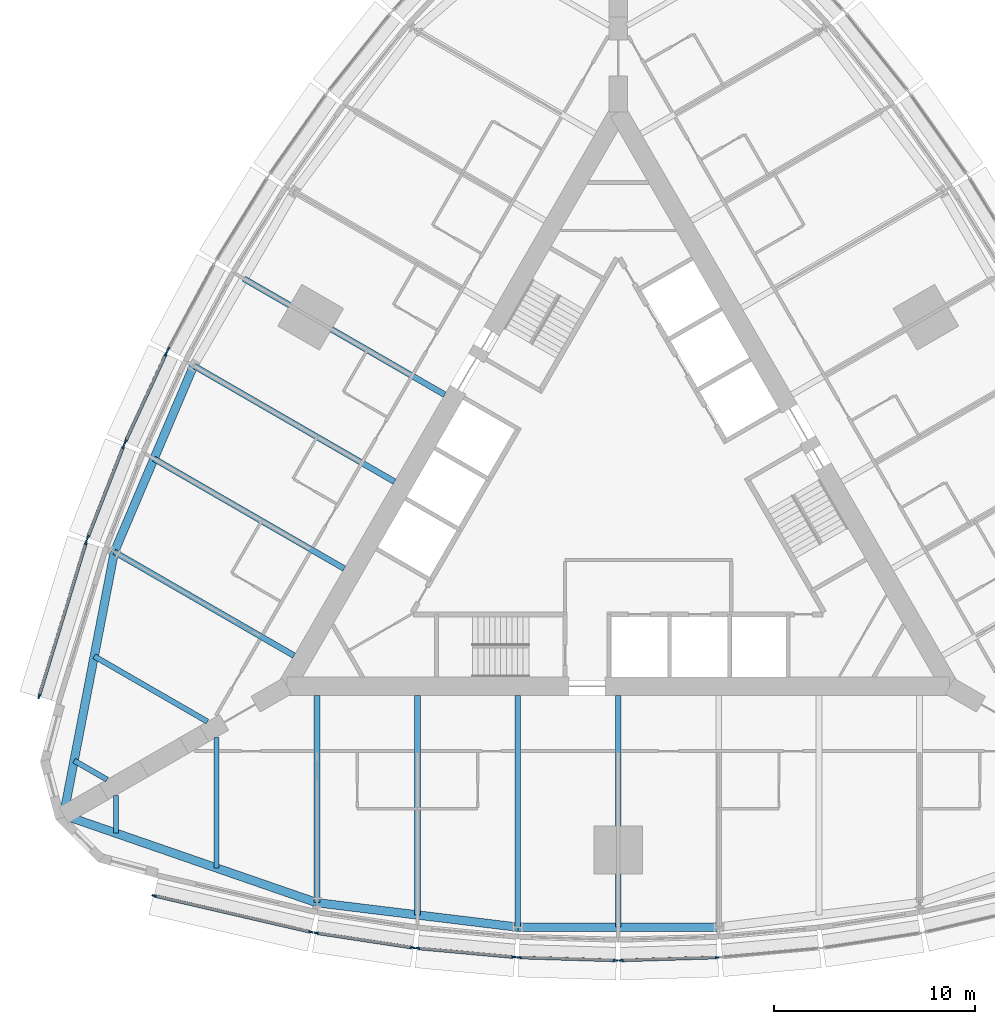
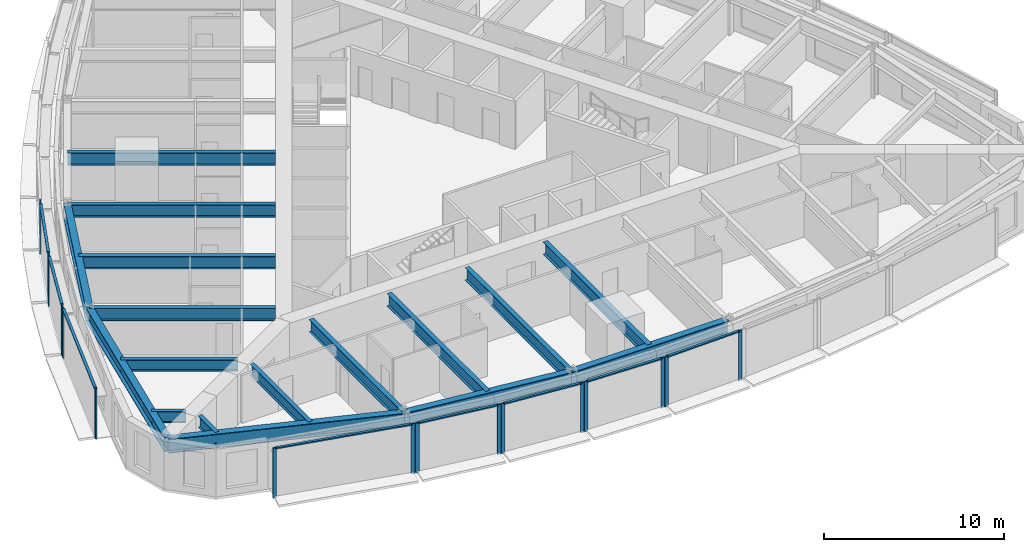
# One storey, part 2 of 14: 25 members, 17 beams, 9 elements without a shape of their own.
"""IFC4 building model written with IfcOpenShell, lengths in metres."""

from ifc_helpers import new_model, si_unit, direction, frame, origin, origin_2d, place, context, subcontext, project, spatial, rectangle, i_section, extrude, material, material_profile, profile_set, type_object, element, aggregate, save


model = new_model("IFC4")

# Units and contexts
model_context = context("Model", 3, precision=1e-05, world=origin(), true_north=direction((0.0, 1.0)))
body_context = subcontext(model_context, "Body", "Model", "MODEL_VIEW")
ifc_project = project(units=[si_unit("LENGTHUNIT", "METRE"), si_unit("AREAUNIT", "SQUARE_METRE"), si_unit("VOLUMEUNIT", "CUBIC_METRE"), si_unit("PLANEANGLEUNIT", "RADIAN"), si_unit("MASSUNIT", "GRAM", prefix="KILO")], contexts=[model_context])

# Site, building, storey
site_placement = place(None, origin())
site = spatial("IfcSite", under=ifc_project, at=site_placement, CompositionType="ELEMENT")
building_placement = place(site_placement, origin())
building = spatial("IfcBuilding", under=site, at=building_placement, Name="Trikona Tower", CompositionType="ELEMENT")
storey_placement = place(building_placement, frame((0.0, 0.0, 55.699951171875)))
storey = spatial("IfcBuildingStorey", under=building, at=storey_placement, Name="L13", CompositionType="ELEMENT", Elevation=55.699951171875)

# Curtain wall, members
ifc_material_1 = material(Name="Aluminium curtain wall system", Category="aluminium")
curtain_wall_type = type_object("IfcCurtainWallType", Name="Curtain wall DS1", PredefinedType="NOTDEFINED", material=ifc_material_1)
curtain_wall_1_placement = place(storey_placement, origin())
curtain_wall_1 = element("IfcCurtainWall", 1, at=curtain_wall_1_placement, inside=storey, type_object=curtain_wall_type, Name="Curtain wall DS1 L13", PredefinedType="NOTDEFINED")
ifc_material_2 = material(Name="Aluminium mullion, pale anodised", Category="aluminium")
ifc_material_profile_1 = material_profile(ifc_material_2, rectangle(XDim=0.080078125, YDim=0.219970703125, at=origin_2d()), Name="MUL-DS1")
ifc_profile_set_1 = profile_set([ifc_material_profile_1], Name="Aluminium mullion, pale anodised")
member_type_1 = type_object("IfcMemberType", Name="Mullion DS1 80x220", PredefinedType="MULLION", material=ifc_profile_set_1)
member_1_placement = place(storey_placement, frame((-23.10546875, -19.951904296875, 0.0), z_axis=(0.0, 0.0, 1.0), x_axis=(0.225343288756, 0.974279427173, 0.0)))
member_1 = element("IfcMember", 2, at=member_1_placement, type_object=member_type_1, Name="CW-DS1 mullion 1", PredefinedType="MULLION", context=body_context, shape_type="SweptSolid", body=[
    extrude(rectangle(XDim=0.080078125, YDim=0.219970703125, at=origin_2d()), origin(), (0.0, 0.0, 1.0), 3.400146484375),
])
member_2_placement = place(storey_placement, frame((-15.30029296875, -21.75732421875, 0.0), z_axis=(0.0, 0.0, 1.0), x_axis=(0.225343288756, 0.974279427173, 0.0)))
member_2 = element("IfcMember", 3, at=member_2_placement, type_object=member_type_1, Name="CW-DS1 mullion 2", PredefinedType="MULLION", context=body_context, shape_type="SweptSolid", body=[
    extrude(rectangle(XDim=0.080078125, YDim=0.219970703125, at=origin_2d()), origin(), (0.0, 0.0, 1.0), 3.400146484375),
])

curtain_wall_2_placement = place(storey_placement, origin())
curtain_wall_2 = element("IfcCurtainWall", 4, at=curtain_wall_2_placement, inside=storey, type_object=curtain_wall_type, Name="Curtain wall DS1 L13", PredefinedType="NOTDEFINED")
member_3_placement = place(storey_placement, frame((-15.03662109375, -21.807861328125, 0.0), z_axis=(0.0, 0.0, 1.0), x_axis=(0.150437693845, 0.988619492156, 0.0)))
member_3 = element("IfcMember", 5, at=member_3_placement, type_object=member_type_1, Name="CW-DS1 mullion 1", PredefinedType="MULLION", context=body_context, shape_type="SweptSolid", body=[
    extrude(rectangle(XDim=0.080078125, YDim=0.219970703125, at=origin_2d()), origin(), (0.0, 0.0, 1.0), 3.400146484375),
])
member_4_placement = place(storey_placement, frame((-10.234130859375, -22.53857421875, 0.0), z_axis=(0.0, 0.0, 1.0), x_axis=(0.150437693845, 0.988619492156, 0.0)))
member_4 = element("IfcMember", 6, at=member_4_placement, type_object=member_type_1, Name="CW-DS1 mullion 2", PredefinedType="MULLION", context=body_context, shape_type="SweptSolid", body=[
    extrude(rectangle(XDim=0.080078125, YDim=0.219970703125, at=origin_2d()), origin(), (0.0, 0.0, 1.0), 3.400146484375),
])

curtain_wall_3_placement = place(storey_placement, origin())
curtain_wall_3 = element("IfcCurtainWall", 7, at=curtain_wall_3_placement, inside=storey, type_object=curtain_wall_type, Name="Curtain wall DS1 L13", PredefinedType="NOTDEFINED")
member_5_placement = place(storey_placement, frame((-9.982177734375, -22.5693359375, 0.0), z_axis=(0.0, 0.0, 1.0), x_axis=(0.090923932737, 0.995857840485, 0.0)))
member_5 = element("IfcMember", 8, at=member_5_placement, type_object=member_type_1, Name="CW-DS1 mullion 1", PredefinedType="MULLION", context=body_context, shape_type="SweptSolid", body=[
    extrude(rectangle(XDim=0.080078125, YDim=0.219970703125, at=origin_2d()), origin(), (0.0, 0.0, 1.0), 3.400146484375),
])
member_6_placement = place(storey_placement, frame((-5.181396484375, -23.007568359375, 0.0), z_axis=(0.0, 0.0, 1.0), x_axis=(0.090923932737, 0.995857840485, 0.0)))
member_6 = element("IfcMember", 9, at=member_6_placement, type_object=member_type_1, Name="CW-DS1 mullion 2", PredefinedType="MULLION", context=body_context, shape_type="SweptSolid", body=[
    extrude(rectangle(XDim=0.080078125, YDim=0.219970703125, at=origin_2d()), origin(), (0.0, 0.0, 1.0), 3.400146484375),
])

curtain_wall_4_placement = place(storey_placement, origin())
curtain_wall_4 = element("IfcCurtainWall", 10, at=curtain_wall_4_placement, inside=storey, type_object=curtain_wall_type, Name="Curtain wall DS1 L13", PredefinedType="NOTDEFINED")
member_7_placement = place(storey_placement, frame((-4.927490234375, -23.02294921875, 0.0), z_axis=(0.0, 0.0, 1.0), x_axis=(0.030436711692, 0.999536695965, 0.0)))
member_7 = element("IfcMember", 11, at=member_7_placement, type_object=member_type_1, Name="CW-DS1 mullion 1", PredefinedType="MULLION", context=body_context, shape_type="SweptSolid", body=[
    extrude(rectangle(XDim=0.080078125, YDim=0.219970703125, at=origin_2d()), origin(), (0.0, 0.0, 1.0), 3.400146484375),
])
member_8_placement = place(storey_placement, frame((-0.12744140625, -23.169189453125, 0.0), z_axis=(0.0, 0.0, 1.0), x_axis=(0.030436711692, 0.999536695965, 0.0)))
member_8 = element("IfcMember", 12, at=member_8_placement, type_object=member_type_1, Name="CW-DS1 mullion 2", PredefinedType="MULLION", context=body_context, shape_type="SweptSolid", body=[
    extrude(rectangle(XDim=0.080078125, YDim=0.219970703125, at=origin_2d()), origin(), (0.0, 0.0, 1.0), 3.400146484375),
])

curtain_wall_5_placement = place(storey_placement, origin())
curtain_wall_5 = element("IfcCurtainWall", 13, at=curtain_wall_5_placement, inside=storey, type_object=curtain_wall_type, Name="Curtain wall DS1 L13", PredefinedType="NOTDEFINED")
member_9_placement = place(storey_placement, frame((0.12744140625, -23.169189453125, 0.0), z_axis=(0.0, 0.0, 1.0), x_axis=(-0.030436711692, 0.999536695965, 0.0)))
member_9 = element("IfcMember", 14, at=member_9_placement, type_object=member_type_1, Name="CW-DS1 mullion 1", PredefinedType="MULLION", context=body_context, shape_type="SweptSolid", body=[
    extrude(rectangle(XDim=0.080078125, YDim=0.219970703125, at=origin_2d()), origin(), (0.0, 0.0, 1.0), 3.400146484375),
])
member_10_placement = place(storey_placement, frame((4.927490234375, -23.02294921875, 0.0), z_axis=(0.0, 0.0, 1.0), x_axis=(-0.030436711692, 0.999536695965, 0.0)))
member_10 = element("IfcMember", 15, at=member_10_placement, type_object=member_type_1, Name="CW-DS1 mullion 2", PredefinedType="MULLION", context=body_context, shape_type="SweptSolid", body=[
    extrude(rectangle(XDim=0.080078125, YDim=0.219970703125, at=origin_2d()), origin(), (0.0, 0.0, 1.0), 3.400146484375),
])

# Curtain wall, member
curtain_wall_6_placement = place(storey_placement, origin())
curtain_wall_6 = element("IfcCurtainWall", 16, at=curtain_wall_6_placement, inside=storey, type_object=curtain_wall_type, Name="Curtain wall DS1 L13", PredefinedType="NOTDEFINED")
member_11_placement = place(storey_placement, frame((-22.402099609375, 7.244140625, 0.0), z_axis=(0.0, 0.0, 1.0), x_axis=(0.880843080975, -0.473408350896, 0.0)))
member_11 = element("IfcMember", 17, at=member_11_placement, type_object=member_type_1, Name="CW-DS1 mullion 2", PredefinedType="MULLION", context=body_context, shape_type="SweptSolid", body=[
    extrude(rectangle(XDim=0.080078125, YDim=0.219970703125, at=origin_2d()), origin(), (0.0, 0.0, 1.0), 3.400146484375),
])
aggregate(curtain_wall_6, [member_11])

# Curtain wall, members
curtain_wall_7_placement = place(storey_placement, origin())
curtain_wall_7 = element("IfcCurtainWall", 18, at=curtain_wall_7_placement, inside=storey, type_object=curtain_wall_type, Name="Curtain wall DS1 L13", PredefinedType="NOTDEFINED")
member_12_placement = place(storey_placement, frame((-22.515869140625, 7.0166015625, 0.0), z_axis=(0.0, 0.0, 1.0), x_axis=(0.907898459992, -0.419190155352, 0.0)))
member_12 = element("IfcMember", 19, at=member_12_placement, type_object=member_type_1, Name="CW-DS1 mullion 1", PredefinedType="MULLION", context=body_context, shape_type="SweptSolid", body=[
    extrude(rectangle(XDim=0.080078125, YDim=0.219970703125, at=origin_2d()), origin(), (0.0, 0.0, 1.0), 3.400146484375),
])
member_13_placement = place(storey_placement, frame((-24.53662109375, 2.6396484375, 0.0), z_axis=(0.0, 0.0, 1.0), x_axis=(0.907898459992, -0.419190155352, 0.0)))
member_13 = element("IfcMember", 20, at=member_13_placement, type_object=member_type_1, Name="CW-DS1 mullion 2", PredefinedType="MULLION", context=body_context, shape_type="SweptSolid", body=[
    extrude(rectangle(XDim=0.080078125, YDim=0.219970703125, at=origin_2d()), origin(), (0.0, 0.0, 1.0), 3.400146484375),
])

curtain_wall_8_placement = place(storey_placement, origin())
curtain_wall_8 = element("IfcCurtainWall", 21, at=curtain_wall_8_placement, inside=storey, type_object=curtain_wall_type, Name="Curtain wall DS1 L13", PredefinedType="NOTDEFINED")
member_14_placement = place(storey_placement, frame((-24.63623046875, 2.40625, 0.0), z_axis=(0.0, 0.0, 1.0), x_axis=(0.931395989443, -0.36400756977, 0.0)))
member_14 = element("IfcMember", 22, at=member_14_placement, type_object=member_type_1, Name="CW-DS1 mullion 1", PredefinedType="MULLION", context=body_context, shape_type="SweptSolid", body=[
    extrude(rectangle(XDim=0.080078125, YDim=0.219970703125, at=origin_2d()), origin(), (0.0, 0.0, 1.0), 3.400146484375),
])
member_15_placement = place(storey_placement, frame((-26.404296875, -2.1181640625, 0.0), z_axis=(0.0, 0.0, 1.0), x_axis=(0.931395989443, -0.36400756977, 0.0)))
member_15 = element("IfcMember", 23, at=member_15_placement, type_object=member_type_1, Name="CW-DS1 mullion 2", PredefinedType="MULLION", context=body_context, shape_type="SweptSolid", body=[
    extrude(rectangle(XDim=0.080078125, YDim=0.219970703125, at=origin_2d()), origin(), (0.0, 0.0, 1.0), 3.400146484375),
])

curtain_wall_9_placement = place(storey_placement, origin())
curtain_wall_9 = element("IfcCurtainWall", 24, at=curtain_wall_9_placement, inside=storey, type_object=curtain_wall_type, Name="Curtain wall DS1 L13", PredefinedType="NOTDEFINED")
member_16_placement = place(storey_placement, frame((-26.492431640625, -2.371826171875, 0.0), z_axis=(0.0, 0.0, 1.0), x_axis=(0.956423115383, -0.291984287868, 0.0)))
member_16 = element("IfcMember", 25, at=member_16_placement, type_object=member_type_1, Name="CW-DS1 mullion 1", PredefinedType="MULLION", context=body_context, shape_type="SweptSolid", body=[
    extrude(rectangle(XDim=0.080078125, YDim=0.219970703125, at=origin_2d()), origin(), (0.0, 0.0, 1.0), 3.400146484375),
])
member_17_placement = place(storey_placement, frame((-28.83154296875, -10.033935546875, 0.0), z_axis=(0.0, 0.0, 1.0), x_axis=(0.956423115383, -0.291984287868, 0.0)))
member_17 = element("IfcMember", 26, at=member_17_placement, type_object=member_type_1, Name="CW-DS1 mullion 2", PredefinedType="MULLION", context=body_context, shape_type="SweptSolid", body=[
    extrude(rectangle(XDim=0.080078125, YDim=0.219970703125, at=origin_2d()), origin(), (0.0, 0.0, 1.0), 3.400146484375),
])

# Beams
ifc_material_3 = material(Name="Steel ASTM A992 Grade 50", Category="steel")
ifc_material_profile_2 = material_profile(ifc_material_3, i_section(OverallWidth=0.2666015625, OverallDepth=0.76953125, WebThickness=0.015625, FlangeThickness=0.025390625, at=origin_2d()), Name="W30X132")
ifc_profile_set_2 = profile_set([ifc_material_profile_2], Name="Steel ASTM A992 Grade 50")
beam_type_1 = type_object("IfcBeamType", Name="Steel beam W30x132 (wedge)", PredefinedType="BEAM", material=ifc_profile_set_2)
beam_1_placement = place(storey_placement, frame((-25.0, -14.953369140625, 2.850341796875), z_axis=(0.0, -1.0, 0.0), x_axis=(1.0, 0.0, 0.0)))
element("IfcBeam", 27, at=beam_1_placement, inside=storey, type_object=beam_type_1, Name="Floor beam L14 F1 u-25", PredefinedType="BEAM", context=body_context, shape_type="SweptSolid", body=[
    extrude(i_section(OverallWidth=0.2666015625, OverallDepth=0.76953125, WebThickness=0.015625, FlangeThickness=0.025390625, at=origin_2d()), origin(), (0.0, 0.0, 1.0), 1.890380859375),
])
for number, where, z_axis, x_axis, name in (
    (28, (-20.0, -12.066650390625, 2.850341796875), (0.0, -1.0, 0.0), (1.0, 0.0, 0.0), "Floor beam L14 F1 u-20"),
    (29, (-20.449951171875, -11.287109375, 2.850341796875), (-0.866022504693, 0.50000502134, 0.0), (-0.50000502134, -0.866022504693, 0.0), "Floor beam L14 F3 u20"),
):
    element("IfcBeam", number, at=place(storey_placement, frame(where, z_axis=z_axis, x_axis=x_axis)), inside=storey, type_object=beam_type_1, Name=name, PredefinedType="BEAM", context=body_context, shape_type="SweptSolid", body=[
        extrude(i_section(OverallWidth=0.2666015625, OverallDepth=0.76953125, WebThickness=0.015625, FlangeThickness=0.025390625, at=origin_2d()), origin(), (0.0, 0.0, 1.0), 6.5068359375),
    ])
beam_2_placement = place(storey_placement, frame((-25.449951171875, -14.173828125, 2.850341796875), z_axis=(-0.866065156741, 0.499931139538, 0.0), x_axis=(-0.499931139538, -0.866065156741, 0.0)))
element("IfcBeam", 30, at=beam_2_placement, inside=storey, type_object=beam_type_1, Name="Floor beam L14 F3 u25", PredefinedType="BEAM", context=body_context, shape_type="SweptSolid", body=[
    extrude(i_section(OverallWidth=0.2666015625, OverallDepth=0.76953125, WebThickness=0.015625, FlangeThickness=0.025390625, at=origin_2d()), origin(), (0.0, 0.0, 1.0), 1.890380859375),
])
ifc_material_4 = material(Name="Steel ASTM A992 Grade 50", Category="steel")
ifc_material_profile_3 = material_profile(ifc_material_4, i_section(OverallWidth=0.2919921875, OverallDepth=0.845703125, WebThickness=0.015380859375, FlangeThickness=0.0244140625, at=origin_2d()), Name="W33X141")
ifc_profile_set_3 = profile_set([ifc_material_profile_3], Name="Steel ASTM A992 Grade 50")
beam_type_2 = type_object("IfcBeamType", Name="Steel beam W33x141 (radial typ)", PredefinedType="BEAM", material=ifc_profile_set_3)
beam_3_placement = place(storey_placement, frame((-15.0, -9.976318359375, 2.812255859375), z_axis=(0.0, -1.0, 0.0), x_axis=(1.0, 0.0, 0.0)))
element("IfcBeam", 31, at=beam_3_placement, inside=storey, type_object=beam_type_2, Name="Floor beam L14 F1 u-15", PredefinedType="BEAM", context=body_context, shape_type="SweptSolid", body=[
    extrude(i_section(OverallWidth=0.2919921875, OverallDepth=0.845703125, WebThickness=0.015380859375, FlangeThickness=0.0244140625, at=origin_2d()), origin(), (0.0, 0.0, 1.0), 10.32666015625),
])
beam_4_placement = place(storey_placement, frame((-10.0, -9.976318359375, 2.812255859375), z_axis=(0.0, -1.0, 0.0), x_axis=(1.0, 0.0, 0.0)))
element("IfcBeam", 32, at=beam_4_placement, inside=storey, type_object=beam_type_2, Name="Floor beam L14 F1 u-10", PredefinedType="BEAM", context=body_context, shape_type="SweptSolid", body=[
    extrude(i_section(OverallWidth=0.2919921875, OverallDepth=0.845703125, WebThickness=0.015380859375, FlangeThickness=0.0244140625, at=origin_2d()), origin(), (0.0, 0.0, 1.0), 10.935302734375),
])
for number, where, z_axis, x_axis, name in (
    (33, (-5.0, -9.976318359375, 2.812255859375), (0.0, -1.0, 0.0), (1.0, 0.0, 0.0), "Floor beam L14 F1 u-5"),
    (34, (0.0, -9.976318359375, 2.812255859375), (0.0, -1.0, 0.0), (1.0, 0.0, 0.0), "Floor beam L14 F1 u0"),
    (35, (-8.6396484375, 4.988037109375, 2.812255859375), (-0.866020765707, 0.500008033299, 0.0), (-0.500008033299, -0.866020765707, 0.0), "Floor beam L14 F3 u0"),
    (36, (-11.1396484375, 0.657958984375, 2.812255859375), (-0.866020765707, 0.500008033299, 0.0), (-0.500008033299, -0.866020765707, 0.0), "Floor beam L14 F3 u5"),
):
    element("IfcBeam", number, at=place(storey_placement, frame(where, z_axis=z_axis, x_axis=x_axis)), inside=storey, type_object=beam_type_2, Name=name, PredefinedType="BEAM", context=body_context, shape_type="SweptSolid", body=[
        extrude(i_section(OverallWidth=0.2919921875, OverallDepth=0.845703125, WebThickness=0.015380859375, FlangeThickness=0.0244140625, at=origin_2d()), origin(), (0.0, 0.0, 1.0), 11.544189453125),
    ])
beam_5_placement = place(storey_placement, frame((-13.6396484375, -3.672119140625, 2.812255859375), z_axis=(-0.866025348605, 0.500000095573, 0.0), x_axis=(-0.500000095573, -0.866025348605, 0.0)))
element("IfcBeam", 37, at=beam_5_placement, inside=storey, type_object=beam_type_2, Name="Floor beam L14 F3 u10", PredefinedType="BEAM", context=body_context, shape_type="SweptSolid", body=[
    extrude(i_section(OverallWidth=0.2919921875, OverallDepth=0.845703125, WebThickness=0.015380859375, FlangeThickness=0.0244140625, at=origin_2d()), origin(), (0.0, 0.0, 1.0), 10.935546875),
])
beam_6_placement = place(storey_placement, frame((-16.1396484375, -8.002197265625, 2.812255859375), z_axis=(-0.866030471684, 0.499991222037, 0.0), x_axis=(-0.499991222037, -0.866030471684, 0.0)))
element("IfcBeam", 38, at=beam_6_placement, inside=storey, type_object=beam_type_2, Name="Floor beam L14 F3 u15", PredefinedType="BEAM", context=body_context, shape_type="SweptSolid", body=[
    extrude(i_section(OverallWidth=0.2919921875, OverallDepth=0.845703125, WebThickness=0.015380859375, FlangeThickness=0.0244140625, at=origin_2d()), origin(), (0.0, 0.0, 1.0), 10.326904296875),
])
ifc_material_5 = material(Name="Steel ASTM A992 Grade 50", Category="steel")
ifc_material_profile_4 = material_profile(ifc_material_5, i_section(OverallWidth=0.424072265625, OverallDepth=0.947509765625, WebThickness=0.02392578125, FlangeThickness=0.042724609375, at=origin_2d()), Name="W36X302")
ifc_profile_set_4 = profile_set([ifc_material_profile_4], Name="Steel ASTM A992 Grade 50")
beam_type_3 = type_object("IfcBeamType", Name="Steel beam W36x302 (spandrel)", PredefinedType="SPANDREL", material=ifc_profile_set_4)
beam_7_placement = place(storey_placement, frame((-27.6103515625, -15.94091796875, 2.76123046875), z_axis=(0.945056965739, -0.326905692071, 0.0), x_axis=(0.326905692071, 0.945056965739, 0.0)))
element("IfcBeam", 39, at=beam_7_placement, inside=storey, type_object=beam_type_3, Name="Spandrel beam L14 F1-1", PredefinedType="SPANDREL", context=body_context, shape_type="SweptSolid", body=[
    extrude(i_section(OverallWidth=0.424072265625, OverallDepth=0.947509765625, WebThickness=0.02392578125, FlangeThickness=0.042724609375, at=origin_2d()), origin(), (0.0, 0.0, 1.0), 13.343505859375),
])
beam_8_placement = place(storey_placement, frame((-15.0, -20.302978515625, 2.76123046875), z_axis=(0.99266951126, -0.120860421207, 0.0), x_axis=(0.120860421207, 0.99266951126, 0.0)))
element("IfcBeam", 40, at=beam_8_placement, inside=storey, type_object=beam_type_3, Name="Spandrel beam L14 F1-2", PredefinedType="SPANDREL", context=body_context, shape_type="SweptSolid", body=[
    extrude(i_section(OverallWidth=0.424072265625, OverallDepth=0.947509765625, WebThickness=0.02392578125, FlangeThickness=0.042724609375, at=origin_2d()), origin(), (0.0, 0.0, 1.0), 10.07373046875),
])
beam_9_placement = place(storey_placement, frame((-5.0, -21.5205078125, 2.76123046875), z_axis=(1.0, 0.0, 0.0), x_axis=(0.0, 1.0, 0.0)))
element("IfcBeam", 41, at=beam_9_placement, inside=storey, type_object=beam_type_3, Name="Spandrel beam L14 F1-3", PredefinedType="SPANDREL", context=body_context, shape_type="SweptSolid", body=[
    extrude(i_section(OverallWidth=0.424072265625, OverallDepth=0.947509765625, WebThickness=0.02392578125, FlangeThickness=0.042724609375, at=origin_2d()), origin(), (0.0, 0.0, 1.0), 10.0),
])
beam_10_placement = place(storey_placement, frame((-21.13720703125, 6.43017578125, 2.76123046875), z_axis=(-0.391683514847, -0.920100007715, 0.0), x_axis=(0.920100007715, -0.391683514847, 0.0)))
element("IfcBeam", 42, at=beam_10_placement, inside=storey, type_object=beam_type_3, Name="Spandrel beam L14 F3-4", PredefinedType="SPANDREL", context=body_context, shape_type="SweptSolid", body=[
    extrude(i_section(OverallWidth=0.424072265625, OverallDepth=0.947509765625, WebThickness=0.02392578125, FlangeThickness=0.042724609375, at=origin_2d()), origin(), (0.0, 0.0, 1.0), 10.073974609375),
])
beam_11_placement = place(storey_placement, frame((-25.0830078125, -2.8388671875, 2.76123046875), z_axis=(-0.189405184036, -0.981899015307, 0.0), x_axis=(0.981899015307, -0.189405184036, 0.0)))
element("IfcBeam", 43, at=beam_11_placement, inside=storey, type_object=beam_type_3, Name="Spandrel beam L14 F3-5", PredefinedType="SPANDREL", context=body_context, shape_type="SweptSolid", body=[
    extrude(i_section(OverallWidth=0.424072265625, OverallDepth=0.947509765625, WebThickness=0.02392578125, FlangeThickness=0.042724609375, at=origin_2d()), origin(), (0.0, 0.0, 1.0), 13.343505859375),
])

# Member
ifc_material_6 = material(Name="Aluminium transom, pale anodised", Category="aluminium")
ifc_material_profile_5 = material_profile(ifc_material_6, rectangle(XDim=0.159912109375, YDim=0.080078125, at=origin_2d()), Name="TRN-DS1")
ifc_profile_set_5 = profile_set([ifc_material_profile_5], Name="Aluminium transom, pale anodised")
member_type_2 = type_object("IfcMemberType", Name="Transom DS1 80x160", PredefinedType="USERDEFINED", material=ifc_profile_set_5)
member_18_placement = place(storey_placement, frame((-23.06640625, -19.9609375, 3.360107421875), z_axis=(0.974275371842, -0.225360821398, 0.0), x_axis=(0.225360821398, 0.974275371842, 0.0)))
member_18 = element("IfcMember", 44, at=member_18_placement, type_object=member_type_2, Name="CW-DS1 transom 1.1", ObjectType="TRANSOM", PredefinedType="USERDEFINED", context=body_context, shape_type="SweptSolid", body=[
    extrude(rectangle(XDim=0.159912109375, YDim=0.080078125, at=origin_2d()), origin(), (0.0, 0.0, 1.0), 7.93115234375),
])

aggregate(curtain_wall_1, [member_1, member_2, member_18])

member_19_placement = place(storey_placement, frame((-14.9970703125, -21.813720703125, 3.360107421875), z_axis=(0.988619663412, -0.150436568413, 0.0), x_axis=(0.150436568413, 0.988619663412, 0.0)))
member_19 = element("IfcMember", 45, at=member_19_placement, type_object=member_type_2, Name="CW-DS1 transom 1.1", ObjectType="TRANSOM", PredefinedType="USERDEFINED", context=body_context, shape_type="SweptSolid", body=[
    extrude(rectangle(XDim=0.159912109375, YDim=0.080078125, at=origin_2d()), origin(), (0.0, 0.0, 1.0), 4.77783203125),
])

aggregate(curtain_wall_2, [member_3, member_4, member_19])

member_20_placement = place(storey_placement, frame((-9.9423828125, -22.57275390625, 3.360107421875), z_axis=(0.995855977008, -0.090944340438, 0.0), x_axis=(0.090944340438, 0.995855977008, 0.0)))
member_20 = element("IfcMember", 46, at=member_20_placement, type_object=member_type_2, Name="CW-DS1 transom 1.1", ObjectType="TRANSOM", PredefinedType="USERDEFINED", context=body_context, shape_type="SweptSolid", body=[
    extrude(rectangle(XDim=0.159912109375, YDim=0.080078125, at=origin_2d()), origin(), (0.0, 0.0, 1.0), 4.74072265625),
])

aggregate(curtain_wall_3, [member_5, member_6, member_20])

member_21_placement = place(storey_placement, frame((-4.887451171875, -23.024169921875, 3.360107421875), z_axis=(0.999536232946, -0.030451913371, 0.0), x_axis=(0.030451913371, 0.999536232946, 0.0)))
member_21 = element("IfcMember", 47, at=member_21_placement, type_object=member_type_2, Name="CW-DS1 transom 1.1", ObjectType="TRANSOM", PredefinedType="USERDEFINED", context=body_context, shape_type="SweptSolid", body=[
    extrude(rectangle(XDim=0.159912109375, YDim=0.080078125, at=origin_2d()), origin(), (0.0, 0.0, 1.0), 4.72216796875),
])

aggregate(curtain_wall_4, [member_7, member_8, member_21])

member_22_placement = place(storey_placement, frame((0.16748046875, -23.16796875, 3.360107421875), z_axis=(0.999536232946, 0.030451913371, 0.0), x_axis=(-0.030451913371, 0.999536232946, 0.0)))
member_22 = element("IfcMember", 48, at=member_22_placement, type_object=member_type_2, Name="CW-DS1 transom 1.1", ObjectType="TRANSOM", PredefinedType="USERDEFINED", context=body_context, shape_type="SweptSolid", body=[
    extrude(rectangle(XDim=0.159912109375, YDim=0.080078125, at=origin_2d()), origin(), (0.0, 0.0, 1.0), 4.72216796875),
])

aggregate(curtain_wall_5, [member_9, member_10, member_22])

member_23_placement = place(storey_placement, frame((-22.53271484375, 6.980224609375, 3.360107421875), z_axis=(-0.419188800665, -0.90789908547, 0.0), x_axis=(0.90789908547, -0.419188800665, 0.0)))
member_23 = element("IfcMember", 49, at=member_23_placement, type_object=member_type_2, Name="CW-DS1 transom 1.1", ObjectType="TRANSOM", PredefinedType="USERDEFINED", context=body_context, shape_type="SweptSolid", body=[
    extrude(rectangle(XDim=0.159912109375, YDim=0.080078125, at=origin_2d()), origin(), (0.0, 0.0, 1.0), 4.74072265625),
])

aggregate(curtain_wall_7, [member_12, member_13, member_23])

member_24_placement = place(storey_placement, frame((-24.650634765625, 2.368896484375, 3.360107421875), z_axis=(-0.364048647668, -0.931379934362, 0.0), x_axis=(0.931379934362, -0.364048647668, 0.0)))
member_24 = element("IfcMember", 50, at=member_24_placement, type_object=member_type_2, Name="CW-DS1 transom 1.1", ObjectType="TRANSOM", PredefinedType="USERDEFINED", context=body_context, shape_type="SweptSolid", body=[
    extrude(rectangle(XDim=0.159912109375, YDim=0.080078125, at=origin_2d()), origin(), (0.0, 0.0, 1.0), 4.777587890625),
])

aggregate(curtain_wall_8, [member_14, member_15, member_24])

member_25_placement = place(storey_placement, frame((-26.504150390625, -2.409912109375, 3.360107421875), z_axis=(-0.291967490203, -0.956428243343, 0.0), x_axis=(0.956428243343, -0.291967490203, 0.0)))
member_25 = element("IfcMember", 51, at=member_25_placement, type_object=member_type_2, Name="CW-DS1 transom 1.1", ObjectType="TRANSOM", PredefinedType="USERDEFINED", context=body_context, shape_type="SweptSolid", body=[
    extrude(rectangle(XDim=0.159912109375, YDim=0.080078125, at=origin_2d()), origin(), (0.0, 0.0, 1.0), 7.93115234375),
])

aggregate(curtain_wall_9, [member_16, member_17, member_25])

save(model, "model.ifc")
